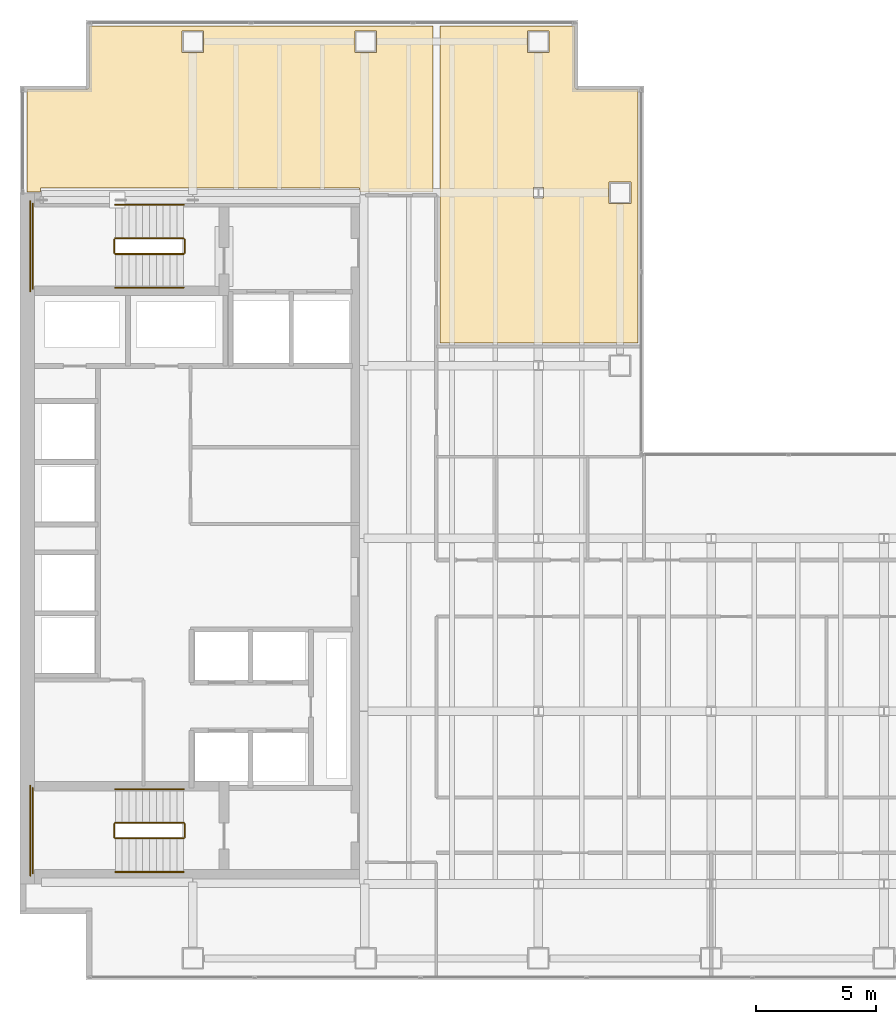
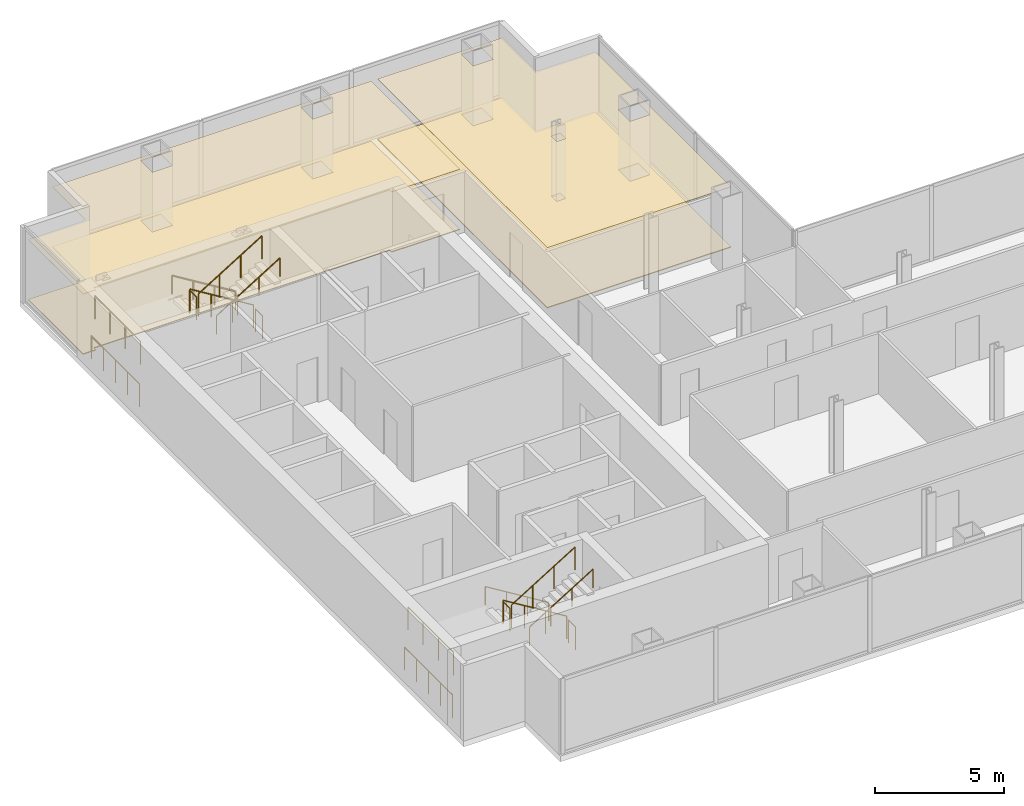
# One storey, part 23 of 23: 16 railings, 4 coverings.
"""IFC4 building model written with IfcOpenShell, lengths in metres."""

from ifc_helpers import new_model, si_unit, direction, frame, origin, origin_2d, place, context, subcontext, project, spatial, polyline, circle, outline, extrude, material, layer, layer_set, type_object, element, save


model = new_model("IFC4")

# Units and contexts
model_context = context("Model", 3, precision=1e-05, world=origin(), true_north=direction((0.0, 1.0)))
body_context = subcontext(model_context, "Body", "Model", "MODEL_VIEW")
ifc_project = project(units=[si_unit("LENGTHUNIT", "METRE"), si_unit("AREAUNIT", "SQUARE_METRE"), si_unit("VOLUMEUNIT", "CUBIC_METRE"), si_unit("PLANEANGLEUNIT", "RADIAN"), si_unit("MASSUNIT", "GRAM", prefix="KILO")], contexts=[model_context])

# Site, building, storey
site_placement = place(None, origin())
site = spatial("IfcSite", under=ifc_project, at=site_placement, CompositionType="ELEMENT")
building_placement = place(site_placement, origin())
building = spatial("IfcBuilding", under=site, at=building_placement, Name="Cobrela Telecom Tower", CompositionType="ELEMENT")
storey_placement = place(building_placement, frame((0.0, 0.0, 117.60009765625)))
storey = spatial("IfcBuildingStorey", under=building, at=storey_placement, Name="L29", CompositionType="ELEMENT", Elevation=117.60009765625)

# Coverings
ifc_material_1 = material(Name="Mineral Fibre Acoustic Ceiling Tile")
ifc_layer_1 = layer(ifc_material_1, 0.02490234375)
ifc_layer_set_1 = layer_set([ifc_layer_1], Name="Mineral Fibre Acoustic Ceiling Tile")
covering_type_1 = type_object("IfcCoveringType", Name="COV-CEIL-ACT", PredefinedType="CEILING", material=ifc_layer_set_1)
covering_1_placement = place(storey_placement, frame((0.0, 0.0, 2.85986328125)))
element("IfcCovering", 1, at=covering_1_placement, inside=storey, type_object=covering_type_1, Name="L29 Team Coffee Pantry 5 Suspended Acoustic Ceiling", PredefinedType="CEILING", context=body_context, shape_type="SweptSolid", body=[
    extrude(outline(polyline([(14.139892578125, 36.18994140625), (0.860107421875, 36.18994140625), (0.860107421875, 36.0400390625), (0.2900390625, 36.0400390625), (0.2900390625, 40.31005859375), (2.7509765625, 40.31005859375), (2.763671875, 40.310546875), (2.77734375, 40.3125), (2.79052734375, 40.31591796875), (2.8037109375, 40.320556640625), (2.81591796875, 40.326416015625), (2.827880859375, 40.33349609375), (2.8388671875, 40.341796875), (2.84912109375, 40.35107421875), (2.8583984375, 40.361083984375), (2.866455078125, 40.3720703125), (2.87353515625, 40.384033203125), (2.87939453125, 40.396484375), (2.884033203125, 40.409423828125), (2.887451171875, 40.422607421875), (2.889404296875, 40.436279296875), (2.889892578125, 40.448974609375), (2.889892578125, 42.93994140625), (17.2099609375, 42.93994140625), (17.2099609375, 36.0400390625), (14.139892578125, 36.0400390625), (14.139892578125, 36.18994140625)]), holes=[polyline([(7.64990234375, 41.85009765625), (7.64990234375, 42.75), (6.75, 42.75), (6.75, 41.85009765625), (7.64990234375, 41.85009765625)]), polyline([(14.85009765625, 41.85009765625), (14.85009765625, 42.75), (13.949951171875, 42.75), (13.949951171875, 41.85009765625), (14.85009765625, 41.85009765625)])]), origin(), (0.0, 0.0, 1.0), 0.025146484375),
])
covering_2_placement = place(storey_placement, frame((0.0, 0.0, 2.85986328125)))
element("IfcCovering", 2, at=covering_2_placement, inside=storey, type_object=covering_type_1, Name="L29 Team Coffee Pantry 4 Suspended Acoustic Ceiling", PredefinedType="CEILING", context=body_context, shape_type="SweptSolid", body=[
    extrude(outline(polyline([(23.110107421875, 42.93994140625), (23.110107421875, 40.448974609375), (23.110595703125, 40.436279296875), (23.112548828125, 40.422607421875), (23.115966796875, 40.409423828125), (23.12060546875, 40.396484375), (23.12646484375, 40.384033203125), (23.133544921875, 40.3720703125), (23.1416015625, 40.361083984375), (23.15087890625, 40.35107421875), (23.1611328125, 40.341796875), (23.172119140625, 40.33349609375), (23.18408203125, 40.326416015625), (23.1962890625, 40.320556640625), (23.20947265625, 40.31591796875), (23.22265625, 40.3125), (23.236328125, 40.310546875), (23.2490234375, 40.31005859375), (25.739990234375, 40.31005859375), (25.739990234375, 29.739990234375), (17.489990234375, 29.739990234375), (17.489990234375, 42.93994140625), (23.110107421875, 42.93994140625)]), holes=[polyline([(21.804443359375, 35.7880859375), (21.804443359375, 36.2119140625), (21.3955078125, 36.2119140625), (21.3955078125, 35.7880859375), (21.804443359375, 35.7880859375)]), polyline([(25.449951171875, 35.550048828125), (25.449951171875, 36.449951171875), (24.550048828125, 36.449951171875), (24.550048828125, 35.550048828125), (25.449951171875, 35.550048828125)]), polyline([(22.050048828125, 41.85009765625), (22.050048828125, 42.75), (21.14990234375, 42.75), (21.14990234375, 41.85009765625), (22.050048828125, 41.85009765625)])]), origin(), (0.0, 0.0, 1.0), 0.025146484375),
])
ifc_material_2 = material(Name="Honed Colombian Basalt Stone", Category="masonry")
ifc_layer_2 = layer(ifc_material_2, 0.0400390625)
ifc_layer_set_2 = layer_set([ifc_layer_2], Name="Honed Colombian Basalt Stone")
covering_type_2 = type_object("IfcCoveringType", Name="COV-FLR-STONE", PredefinedType="FLOORING", material=ifc_layer_set_2)
covering_3_placement = place(storey_placement, origin())
element("IfcCovering", 3, at=covering_3_placement, inside=storey, type_object=covering_type_2, Name="L29 Team Coffee Pantry 5 Raised Technical Flooring", PredefinedType="FLOORING", context=body_context, shape_type="SweptSolid", body=[
    extrude(outline(polyline([(14.139892578125, 36.18994140625), (0.860107421875, 36.18994140625), (0.860107421875, 36.0400390625), (0.2900390625, 36.0400390625), (0.2900390625, 40.31005859375), (2.7509765625, 40.31005859375), (2.763671875, 40.310546875), (2.77734375, 40.3125), (2.79052734375, 40.31591796875), (2.8037109375, 40.320556640625), (2.81591796875, 40.326416015625), (2.827880859375, 40.33349609375), (2.8388671875, 40.341796875), (2.84912109375, 40.35107421875), (2.8583984375, 40.361083984375), (2.866455078125, 40.3720703125), (2.87353515625, 40.384033203125), (2.87939453125, 40.396484375), (2.884033203125, 40.409423828125), (2.887451171875, 40.422607421875), (2.889404296875, 40.436279296875), (2.889892578125, 40.448974609375), (2.889892578125, 42.93994140625), (17.2099609375, 42.93994140625), (17.2099609375, 36.0400390625), (14.139892578125, 36.0400390625), (14.139892578125, 36.18994140625)]), holes=[polyline([(7.64990234375, 41.85009765625), (7.64990234375, 42.75), (6.75, 42.75), (6.75, 41.85009765625), (7.64990234375, 41.85009765625)]), polyline([(14.85009765625, 41.85009765625), (14.85009765625, 42.75), (13.949951171875, 42.75), (13.949951171875, 41.85009765625), (14.85009765625, 41.85009765625)])]), origin(), (0.0, 0.0, 1.0), 0.039794921875),
])
covering_4_placement = place(storey_placement, origin())
element("IfcCovering", 4, at=covering_4_placement, inside=storey, type_object=covering_type_2, Name="L29 Team Coffee Pantry 4 Raised Technical Flooring", PredefinedType="FLOORING", context=body_context, shape_type="SweptSolid", body=[
    extrude(outline(polyline([(23.110107421875, 42.93994140625), (23.110107421875, 40.448974609375), (23.110595703125, 40.436279296875), (23.112548828125, 40.422607421875), (23.115966796875, 40.409423828125), (23.12060546875, 40.396484375), (23.12646484375, 40.384033203125), (23.133544921875, 40.3720703125), (23.1416015625, 40.361083984375), (23.15087890625, 40.35107421875), (23.1611328125, 40.341796875), (23.172119140625, 40.33349609375), (23.18408203125, 40.326416015625), (23.1962890625, 40.320556640625), (23.20947265625, 40.31591796875), (23.22265625, 40.3125), (23.236328125, 40.310546875), (23.2490234375, 40.31005859375), (25.739990234375, 40.31005859375), (25.739990234375, 29.739990234375), (17.489990234375, 29.739990234375), (17.489990234375, 42.93994140625), (23.110107421875, 42.93994140625)]), holes=[polyline([(21.804443359375, 35.7880859375), (21.804443359375, 36.2119140625), (21.3955078125, 36.2119140625), (21.3955078125, 35.7880859375), (21.804443359375, 35.7880859375)]), polyline([(25.449951171875, 35.550048828125), (25.449951171875, 36.449951171875), (24.550048828125, 36.449951171875), (24.550048828125, 35.550048828125), (25.449951171875, 35.550048828125)]), polyline([(22.050048828125, 41.85009765625), (22.050048828125, 42.75), (21.14990234375, 42.75), (21.14990234375, 41.85009765625), (22.050048828125, 41.85009765625)])]), origin(), (0.0, 0.0, 1.0), 0.039794921875),
])

# Railings
ifc_material_3 = material(Name="Steel ASTM A36", Category="steel")
railing_type_1 = type_object("IfcRailingType", Name="RAIL-GUARD-1100", PredefinedType="GUARDRAIL", material=ifc_material_3)
railing_1_placement = place(storey_placement, frame((6.820068359375, 34.10009765625, 0.1748046875)))
element("IfcRailing", 5, at=railing_1_placement, inside=storey, type_object=railing_type_1, Name="L29 ST1 stair guard 1", PredefinedType="GUARDRAIL", context=body_context, shape_type="SweptSolid", body=[
    extrude(circle(Radius=0.02392578125, at=origin_2d()), frame((0.0, 0.0, 1.076171875), z_axis=(-0.852179220489, 0.0, 0.52325001306), x_axis=(0.0, -1.0, 0.0)), (0.0, 0.0, 1.0), 3.344482421875),
    extrude(circle(Radius=0.02099609375, at=origin_2d()), origin(), (0.0, 0.0, 1.0), 1.052001953125),
    extrude(circle(Radius=0.02099609375, at=origin_2d()), frame((-0.949951171875, 0.0, 0.583251953125)), (0.0, 0.0, 1.0), 1.052001953125),
    extrude(circle(Radius=0.02099609375, at=origin_2d()), frame((-1.900146484375, 0.0, 1.166748046875)), (0.0, 0.0, 1.0), 1.052001953125),
    extrude(circle(Radius=0.02099609375, at=origin_2d()), frame((-2.85009765625, 0.0, 1.75)), (0.0, 0.0, 1.0), 1.052001953125),
])
railing_2_placement = place(storey_placement, frame((3.919921875, 34.050048828125, 1.9248046875)))
element("IfcRailing", 6, at=railing_2_placement, inside=storey, type_object=railing_type_1, Name="L29 ST1 stair guard 2", PredefinedType="GUARDRAIL", context=body_context, shape_type="SweptSolid", body=[
    extrude(circle(Radius=0.02392578125, at=origin_2d()), frame((0.0, 0.0, 1.076171875), z_axis=(0.0, -1.0, 0.0), x_axis=(1.0, 0.0, 0.0)), (0.0, 0.0, 1.0), 0.550048828125),
    extrude(circle(Radius=0.02099609375, at=origin_2d()), origin(), (0.0, 0.0, 1.0), 1.052001953125),
    extrude(circle(Radius=0.02099609375, at=origin_2d()), frame((0.0, -0.550048828125, 0.0)), (0.0, 0.0, 1.0), 1.052001953125),
])
railing_3_placement = place(storey_placement, frame((0.530029296875, 35.550048828125, 1.9248046875)))
element("IfcRailing", 7, at=railing_3_placement, inside=storey, type_object=railing_type_1, Name="L29 ST1 stair guard 3", PredefinedType="GUARDRAIL", context=body_context, shape_type="SweptSolid", body=[
    extrude(circle(Radius=0.02392578125, at=origin_2d()), frame((0.0, 0.0, 1.076171875), z_axis=(0.0, -1.0, 0.0), x_axis=(1.0, 0.0, 0.0)), (0.0, 0.0, 1.0), 3.550048828125),
    extrude(circle(Radius=0.02099609375, at=origin_2d()), origin(), (0.0, 0.0, 1.0), 1.052001953125),
    extrude(circle(Radius=0.02099609375, at=origin_2d()), frame((0.0, -1.183349609375, 0.0)), (0.0, 0.0, 1.0), 1.052001953125),
    extrude(circle(Radius=0.02099609375, at=origin_2d()), frame((0.0, -2.36669921875, 0.0)), (0.0, 0.0, 1.0), 1.052001953125),
    extrude(circle(Radius=0.02099609375, at=origin_2d()), frame((0.0, -3.550048828125, 0.0)), (0.0, 0.0, 1.0), 1.052001953125),
])
railing_4_placement = place(storey_placement, frame((3.969970703125, 33.449951171875, 2.099853515625)))
element("IfcRailing", 8, at=railing_4_placement, inside=storey, type_object=railing_type_1, Name="L29 ST1 stair guard 4", PredefinedType="GUARDRAIL", context=body_context, shape_type="SweptSolid", body=[
    extrude(circle(Radius=0.02392578125, at=origin_2d()), frame((0.0, 0.0, 1.076171875), z_axis=(0.852179220489, 0.0, 0.52325001306), x_axis=(0.0, 1.0, 0.0)), (0.0, 0.0, 1.0), 3.344482421875),
    extrude(circle(Radius=0.02099609375, at=origin_2d()), origin(), (0.0, 0.0, 1.0), 1.052001953125),
    extrude(circle(Radius=0.02099609375, at=origin_2d()), frame((0.949951171875, 0.0, 0.583251953125)), (0.0, 0.0, 1.0), 1.052001953125),
    extrude(circle(Radius=0.02099609375, at=origin_2d()), frame((1.900146484375, 0.0, 1.166748046875)), (0.0, 0.0, 1.0), 1.052001953125),
    extrude(circle(Radius=0.02099609375, at=origin_2d()), frame((2.85009765625, 0.0, 1.75)), (0.0, 0.0, 1.0), 1.052001953125),
])
railing_5_placement = place(storey_placement, frame((6.8701171875, 34.050048828125, 0.0)))
element("IfcRailing", 9, at=railing_5_placement, inside=storey, type_object=railing_type_1, Name="L29 ST1 stair guard 5", PredefinedType="GUARDRAIL", context=body_context, shape_type="SweptSolid", body=[
    extrude(circle(Radius=0.02392578125, at=origin_2d()), frame((0.0, 0.0, 1.076171875), z_axis=(0.0, -1.0, 0.0), x_axis=(1.0, 0.0, 0.0)), (0.0, 0.0, 1.0), 0.550048828125),
    extrude(circle(Radius=0.02099609375, at=origin_2d()), origin(), (0.0, 0.0, 1.0), 1.052001953125),
    extrude(circle(Radius=0.02099609375, at=origin_2d()), frame((0.0, -0.550048828125, 0.0)), (0.0, 0.0, 1.0), 1.052001953125),
])
railing_6_placement = place(storey_placement, frame((0.429931640625, 35.64990234375, 0.0)))
element("IfcRailing", 10, at=railing_6_placement, inside=storey, type_object=railing_type_1, Name="L29 ST1 stair guard 6", PredefinedType="GUARDRAIL", context=body_context, shape_type="SweptSolid", body=[
    extrude(circle(Radius=0.02392578125, at=origin_2d()), frame((0.0, 0.0, 1.076171875), z_axis=(0.0, -1.0, 0.0), x_axis=(1.0, 0.0, 0.0)), (0.0, 0.0, 1.0), 3.75),
    extrude(circle(Radius=0.02099609375, at=origin_2d()), origin(), (0.0, 0.0, 1.0), 1.052001953125),
    extrude(circle(Radius=0.02099609375, at=origin_2d()), frame((0.0, -0.9375, 0.0)), (0.0, 0.0, 1.0), 1.052001953125),
    extrude(circle(Radius=0.02099609375, at=origin_2d()), frame((0.0, -1.875, 0.0)), (0.0, 0.0, 1.0), 1.052001953125),
    extrude(circle(Radius=0.02099609375, at=origin_2d()), frame((0.0, -2.8125, 0.0)), (0.0, 0.0, 1.0), 1.052001953125),
    extrude(circle(Radius=0.02099609375, at=origin_2d()), frame((0.0, -3.75, 0.0)), (0.0, 0.0, 1.0), 1.052001953125),
])
railing_7_placement = place(storey_placement, frame((6.820068359375, 9.75, 0.1748046875)))
element("IfcRailing", 11, at=railing_7_placement, inside=storey, type_object=railing_type_1, Name="L29 ST2 stair guard 1", PredefinedType="GUARDRAIL", context=body_context, shape_type="SweptSolid", body=[
    extrude(circle(Radius=0.02392578125, at=origin_2d()), frame((0.0, 0.0, 1.076171875), z_axis=(-0.852179220489, 0.0, 0.52325001306), x_axis=(0.0, -1.0, 0.0)), (0.0, 0.0, 1.0), 3.344482421875),
    extrude(circle(Radius=0.02099609375, at=origin_2d()), origin(), (0.0, 0.0, 1.0), 1.052001953125),
    extrude(circle(Radius=0.02099609375, at=origin_2d()), frame((-0.949951171875, 0.0, 0.583251953125)), (0.0, 0.0, 1.0), 1.052001953125),
    extrude(circle(Radius=0.02099609375, at=origin_2d()), frame((-1.900146484375, 0.0, 1.166748046875)), (0.0, 0.0, 1.0), 1.052001953125),
    extrude(circle(Radius=0.02099609375, at=origin_2d()), frame((-2.85009765625, 0.0, 1.75)), (0.0, 0.0, 1.0), 1.052001953125),
])
railing_8_placement = place(storey_placement, frame((3.919921875, 9.699951171875, 1.9248046875)))
element("IfcRailing", 12, at=railing_8_placement, inside=storey, type_object=railing_type_1, Name="L29 ST2 stair guard 2", PredefinedType="GUARDRAIL", context=body_context, shape_type="SweptSolid", body=[
    extrude(circle(Radius=0.02392578125, at=origin_2d()), frame((0.0, 0.0, 1.076171875), z_axis=(0.0, -1.0, 0.0), x_axis=(1.0, 0.0, 0.0)), (0.0, 0.0, 1.0), 0.550048828125),
    extrude(circle(Radius=0.02099609375, at=origin_2d()), origin(), (0.0, 0.0, 1.0), 1.052001953125),
    extrude(circle(Radius=0.02099609375, at=origin_2d()), frame((0.0, -0.550048828125, 0.0)), (0.0, 0.0, 1.0), 1.052001953125),
])
railing_9_placement = place(storey_placement, frame((0.530029296875, 11.199951171875, 1.9248046875)))
element("IfcRailing", 13, at=railing_9_placement, inside=storey, type_object=railing_type_1, Name="L29 ST2 stair guard 3", PredefinedType="GUARDRAIL", context=body_context, shape_type="SweptSolid", body=[
    extrude(circle(Radius=0.02392578125, at=origin_2d()), frame((0.0, 0.0, 1.076171875), z_axis=(0.0, -1.0, 0.0), x_axis=(1.0, 0.0, 0.0)), (0.0, 0.0, 1.0), 3.550048828125),
    extrude(circle(Radius=0.02099609375, at=origin_2d()), origin(), (0.0, 0.0, 1.0), 1.052001953125),
    extrude(circle(Radius=0.02099609375, at=origin_2d()), frame((0.0, -1.183349609375, 0.0)), (0.0, 0.0, 1.0), 1.052001953125),
    extrude(circle(Radius=0.02099609375, at=origin_2d()), frame((0.0, -2.36669921875, 0.0)), (0.0, 0.0, 1.0), 1.052001953125),
    extrude(circle(Radius=0.02099609375, at=origin_2d()), frame((0.0, -3.550048828125, 0.0)), (0.0, 0.0, 1.0), 1.052001953125),
])
railing_10_placement = place(storey_placement, frame((3.969970703125, 9.10009765625, 2.099853515625)))
element("IfcRailing", 14, at=railing_10_placement, inside=storey, type_object=railing_type_1, Name="L29 ST2 stair guard 4", PredefinedType="GUARDRAIL", context=body_context, shape_type="SweptSolid", body=[
    extrude(circle(Radius=0.02392578125, at=origin_2d()), frame((0.0, 0.0, 1.076171875), z_axis=(0.852179220489, 0.0, 0.52325001306), x_axis=(0.0, 1.0, 0.0)), (0.0, 0.0, 1.0), 3.344482421875),
    extrude(circle(Radius=0.02099609375, at=origin_2d()), origin(), (0.0, 0.0, 1.0), 1.052001953125),
    extrude(circle(Radius=0.02099609375, at=origin_2d()), frame((0.949951171875, 0.0, 0.583251953125)), (0.0, 0.0, 1.0), 1.052001953125),
    extrude(circle(Radius=0.02099609375, at=origin_2d()), frame((1.900146484375, 0.0, 1.166748046875)), (0.0, 0.0, 1.0), 1.052001953125),
    extrude(circle(Radius=0.02099609375, at=origin_2d()), frame((2.85009765625, 0.0, 1.75)), (0.0, 0.0, 1.0), 1.052001953125),
])
railing_11_placement = place(storey_placement, frame((6.8701171875, 9.699951171875, 0.0)))
element("IfcRailing", 15, at=railing_11_placement, inside=storey, type_object=railing_type_1, Name="L29 ST2 stair guard 5", PredefinedType="GUARDRAIL", context=body_context, shape_type="SweptSolid", body=[
    extrude(circle(Radius=0.02392578125, at=origin_2d()), frame((0.0, 0.0, 1.076171875), z_axis=(0.0, -1.0, 0.0), x_axis=(1.0, 0.0, 0.0)), (0.0, 0.0, 1.0), 0.550048828125),
    extrude(circle(Radius=0.02099609375, at=origin_2d()), origin(), (0.0, 0.0, 1.0), 1.052001953125),
    extrude(circle(Radius=0.02099609375, at=origin_2d()), frame((0.0, -0.550048828125, 0.0)), (0.0, 0.0, 1.0), 1.052001953125),
])
railing_12_placement = place(storey_placement, frame((0.429931640625, 11.300048828125, 0.0)))
element("IfcRailing", 16, at=railing_12_placement, inside=storey, type_object=railing_type_1, Name="L29 ST2 stair guard 6", PredefinedType="GUARDRAIL", context=body_context, shape_type="SweptSolid", body=[
    extrude(circle(Radius=0.02392578125, at=origin_2d()), frame((0.0, 0.0, 1.076171875), z_axis=(0.0, -1.0, 0.0), x_axis=(1.0, 0.0, 0.0)), (0.0, 0.0, 1.0), 3.75),
    extrude(circle(Radius=0.02099609375, at=origin_2d()), origin(), (0.0, 0.0, 1.0), 1.052001953125),
    extrude(circle(Radius=0.02099609375, at=origin_2d()), frame((0.0, -0.9375, 0.0)), (0.0, 0.0, 1.0), 1.052001953125),
    extrude(circle(Radius=0.02099609375, at=origin_2d()), frame((0.0, -1.875, 0.0)), (0.0, 0.0, 1.0), 1.052001953125),
    extrude(circle(Radius=0.02099609375, at=origin_2d()), frame((0.0, -2.8125, 0.0)), (0.0, 0.0, 1.0), 1.052001953125),
    extrude(circle(Radius=0.02099609375, at=origin_2d()), frame((0.0, -3.75, 0.0)), (0.0, 0.0, 1.0), 1.052001953125),
])
railing_type_2 = type_object("IfcRailingType", Name="RAIL-HAND-920", PredefinedType="HANDRAIL", material=ifc_material_3)
railing_13_placement = place(storey_placement, frame((6.820068359375, 35.5, 0.1748046875)))
element("IfcRailing", 17, at=railing_13_placement, inside=storey, type_object=railing_type_2, Name="L29 ST1 stair handrail 1", PredefinedType="HANDRAIL", context=body_context, shape_type="SweptSolid", body=[
    extrude(circle(Radius=0.02392578125, at=origin_2d()), frame((0.0, 0.0, 0.8759765625), z_axis=(-0.852179220489, 0.0, 0.52325001306), x_axis=(0.0, -1.0, 0.0)), (0.0, 0.0, 1.0), 3.344482421875),
    extrude(circle(Radius=0.02099609375, at=origin_2d()), origin(), (0.0, 0.0, 1.0), 0.851806640625),
    extrude(circle(Radius=0.02099609375, at=origin_2d()), frame((-0.949951171875, 0.0, 0.583251953125)), (0.0, 0.0, 1.0), 0.851806640625),
    extrude(circle(Radius=0.02099609375, at=origin_2d()), frame((-1.900146484375, 0.0, 1.166748046875)), (0.0, 0.0, 1.0), 0.851806640625),
    extrude(circle(Radius=0.02099609375, at=origin_2d()), frame((-2.85009765625, 0.0, 1.75)), (0.0, 0.0, 1.0), 0.851806640625),
])
railing_14_placement = place(storey_placement, frame((3.969970703125, 32.050048828125, 2.099853515625)))
element("IfcRailing", 18, at=railing_14_placement, inside=storey, type_object=railing_type_2, Name="L29 ST1 stair handrail 2", PredefinedType="HANDRAIL", context=body_context, shape_type="SweptSolid", body=[
    extrude(circle(Radius=0.02392578125, at=origin_2d()), frame((0.0, 0.0, 0.8759765625), z_axis=(0.852179220489, 0.0, 0.52325001306), x_axis=(0.0, 1.0, 0.0)), (0.0, 0.0, 1.0), 3.344482421875),
    extrude(circle(Radius=0.02099609375, at=origin_2d()), origin(), (0.0, 0.0, 1.0), 0.851806640625),
    extrude(circle(Radius=0.02099609375, at=origin_2d()), frame((0.949951171875, 0.0, 0.583251953125)), (0.0, 0.0, 1.0), 0.851806640625),
    extrude(circle(Radius=0.02099609375, at=origin_2d()), frame((1.900146484375, 0.0, 1.166748046875)), (0.0, 0.0, 1.0), 0.851806640625),
    extrude(circle(Radius=0.02099609375, at=origin_2d()), frame((2.85009765625, 0.0, 1.75)), (0.0, 0.0, 1.0), 0.851806640625),
])
railing_15_placement = place(storey_placement, frame((6.820068359375, 11.14990234375, 0.1748046875)))
element("IfcRailing", 19, at=railing_15_placement, inside=storey, type_object=railing_type_2, Name="L29 ST2 stair handrail 1", PredefinedType="HANDRAIL", context=body_context, shape_type="SweptSolid", body=[
    extrude(circle(Radius=0.02392578125, at=origin_2d()), frame((0.0, 0.0, 0.8759765625), z_axis=(-0.852179220489, 0.0, 0.52325001306), x_axis=(0.0, -1.0, 0.0)), (0.0, 0.0, 1.0), 3.344482421875),
    extrude(circle(Radius=0.02099609375, at=origin_2d()), origin(), (0.0, 0.0, 1.0), 0.851806640625),
    extrude(circle(Radius=0.02099609375, at=origin_2d()), frame((-0.949951171875, 0.0, 0.583251953125)), (0.0, 0.0, 1.0), 0.851806640625),
    extrude(circle(Radius=0.02099609375, at=origin_2d()), frame((-1.900146484375, 0.0, 1.166748046875)), (0.0, 0.0, 1.0), 0.851806640625),
    extrude(circle(Radius=0.02099609375, at=origin_2d()), frame((-2.85009765625, 0.0, 1.75)), (0.0, 0.0, 1.0), 0.851806640625),
])
railing_16_placement = place(storey_placement, frame((3.969970703125, 7.699951171875, 2.099853515625)))
element("IfcRailing", 20, at=railing_16_placement, inside=storey, type_object=railing_type_2, Name="L29 ST2 stair handrail 2", PredefinedType="HANDRAIL", context=body_context, shape_type="SweptSolid", body=[
    extrude(circle(Radius=0.02392578125, at=origin_2d()), frame((0.0, 0.0, 0.8759765625), z_axis=(0.852179220489, 0.0, 0.52325001306), x_axis=(0.0, 1.0, 0.0)), (0.0, 0.0, 1.0), 3.344482421875),
    extrude(circle(Radius=0.02099609375, at=origin_2d()), origin(), (0.0, 0.0, 1.0), 0.851806640625),
    extrude(circle(Radius=0.02099609375, at=origin_2d()), frame((0.949951171875, 0.0, 0.583251953125)), (0.0, 0.0, 1.0), 0.851806640625),
    extrude(circle(Radius=0.02099609375, at=origin_2d()), frame((1.900146484375, 0.0, 1.166748046875)), (0.0, 0.0, 1.0), 0.851806640625),
    extrude(circle(Radius=0.02099609375, at=origin_2d()), frame((2.85009765625, 0.0, 1.75)), (0.0, 0.0, 1.0), 0.851806640625),
])

save(model, "model.ifc")
